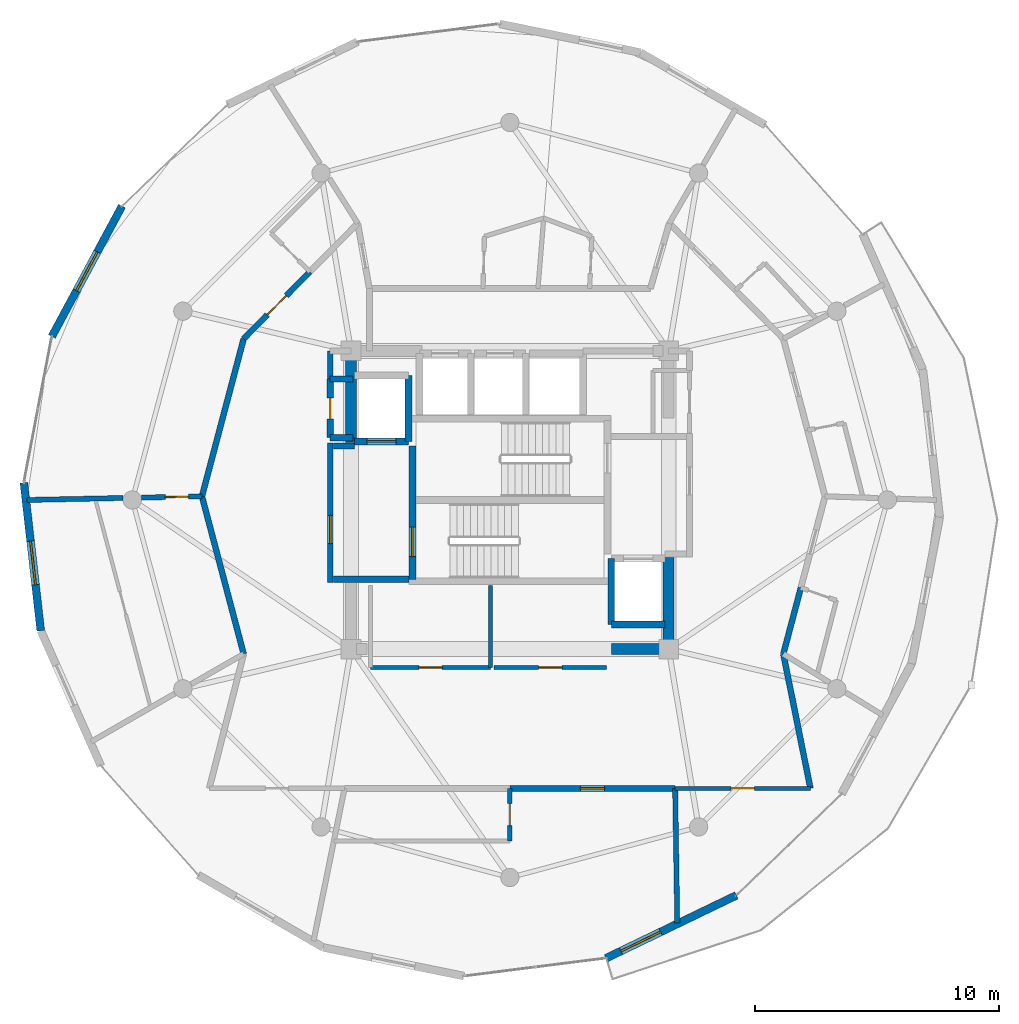
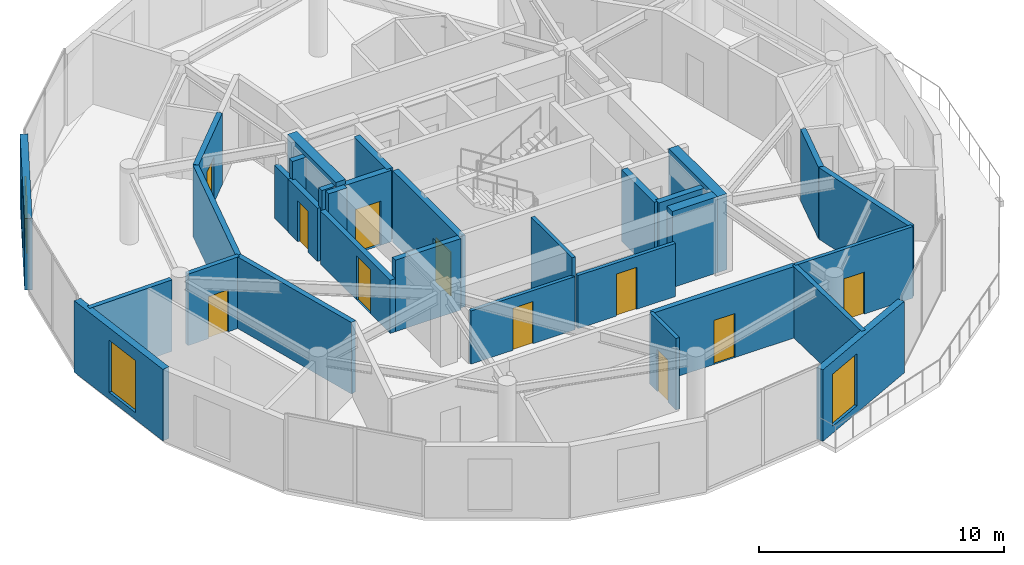
# One storey, part 18 of 23: 32 walls, 11 doors, 3 windows, 14 openings.
"""IFC4 building model written with IfcOpenShell, lengths in metres."""

from ifc_helpers import new_model, si_unit, direction, frame, frame_2d, origin, place, context, subcontext, project, spatial, rectangle, extrude, material, layer, layer_set, type_object, element, fill, save


model = new_model("IFC4")

# Units and contexts
model_context = context("Model", 3, precision=1e-05, world=origin(), true_north=direction((0.0, 1.0)))
body_context = subcontext(model_context, "Body", "Model", "MODEL_VIEW")
ifc_project = project(units=[si_unit("LENGTHUNIT", "METRE"), si_unit("AREAUNIT", "SQUARE_METRE"), si_unit("VOLUMEUNIT", "CUBIC_METRE"), si_unit("PLANEANGLEUNIT", "RADIAN"), si_unit("MASSUNIT", "GRAM", prefix="KILO")], contexts=[model_context])

# Site, building, storey
site_placement = place(None, origin())
site = spatial("IfcSite", under=ifc_project, at=site_placement, CompositionType="ELEMENT")
building_placement = place(site_placement, origin())
building = spatial("IfcBuilding", under=site, at=building_placement, Name="Solvirekh Grand Hotel", CompositionType="ELEMENT")
storey_placement = place(building_placement, frame((0.0, 0.0, 285.800048828125)))
storey = spatial("IfcBuildingStorey", under=building, at=storey_placement, Name="L74", CompositionType="ELEMENT", Elevation=285.800048828125)

# Wall, opening, door
ifc_material_1 = material(Name="Concrete C40/50", Category="concrete")
ifc_layer_1 = layer(ifc_material_1, 0.280029296875)
ifc_layer_set_1 = layer_set([ifc_layer_1], Name="Concrete C40/50")
wall_type_1 = type_object("IfcWallType", Name="CoreShaftWall_RC280", PredefinedType="SOLIDWALL", material=ifc_layer_set_1)
wall_1_placement = place(storey_placement, frame((-6.35009765625, 2.39990234375, 0.0), z_axis=(0.0, 0.0, 1.0), x_axis=(1.0, 0.0, 0.0)))
wall_1 = element("IfcWall", 1, at=wall_1_placement, inside=storey, type_object=wall_type_1, Name="L74 FL-1 hoistway S wall", PredefinedType="SOLIDWALL", context=body_context, shape_type="SweptSolid", body=[
    extrude(rectangle(XDim=2.2001953125, YDim=0.280029296875, at=frame_2d((1.10009765625, 0.0))), origin(), (0.0, 0.0, 1.0), 3.570068359375),
])
opening_1_placement = place(wall_1_placement, frame((0.5, 0.0, 0.0)))
opening_1 = element("IfcOpeningElement", 2, at=opening_1_placement, cuts=wall_1, Name="Opening LD02", PredefinedType="OPENING", context=body_context, shape_type="SweptSolid", body=[
    extrude(rectangle(XDim=1.199951171875, YDim=2.199951171875, at=frame_2d((0.60009765625, 1.10009765625))), frame((0.0, 0.14990234375, 0.0), z_axis=(0.0, -1.0, 0.0), x_axis=(1.0, 0.0, 0.0)), (0.0, 0.0, 1.0), 0.300048828125),
])
ifc_material_2 = material(Name="Fire-Rated Steel Door Assembly", Category="steel")
door_type_1 = type_object("IfcDoorType", Name="Door_LiftFF_1200X2200", OperationType="SLIDING_TO_LEFT", PredefinedType="DOOR", material=ifc_material_2)
door_1_placement = place(opening_1_placement, origin())
door_1 = element("IfcDoor", 3, at=door_1_placement, inside=storey, type_object=door_type_1, Name="L74 FL-1 sliding lift landing door", OperationType="SLIDING_TO_LEFT", OverallHeight=2.199951171875, OverallWidth=1.199951171875, PredefinedType="DOOR", context=body_context, shape_type="SweptSolid", body=[
    extrude(rectangle(XDim=1.199951171875, YDim=2.199951171875, at=frame_2d((0.60009765625, 1.10009765625))), frame((0.0, 0.02490234375, 0.0), z_axis=(0.0, -1.0, 0.0), x_axis=(1.0, 0.0, 0.0)), (0.0, 0.0, 1.0), 0.050048828125),
])
fill(opening_1, door_1)

# Walls
wall_2_placement = place(storey_placement, frame((-4.14990234375, 2.39990234375, 0.0), z_axis=(0.0, 0.0, 1.0), x_axis=(0.0, 1.0, 0.0)))
element("IfcWall", 4, at=wall_2_placement, inside=storey, type_object=wall_type_1, Name="L74 FL-1 hoistway E wall", PredefinedType="SOLIDWALL", context=body_context, shape_type="SweptSolid", body=[
    extrude(rectangle(XDim=2.7001953125, YDim=0.280029296875, at=frame_2d((1.35009765625, 0.0))), origin(), (0.0, 0.0, 1.0), 3.570068359375),
])
wall_3_placement = place(storey_placement, frame((4.14990234375, -5.10009765625, 0.0), z_axis=(0.0, 0.0, 1.0), x_axis=(1.0, 0.0, 0.0)))
element("IfcWall", 5, at=wall_3_placement, inside=storey, type_object=wall_type_1, Name="L74 FL-2 hoistway S wall", PredefinedType="SOLIDWALL", context=body_context, shape_type="SweptSolid", body=[
    extrude(rectangle(XDim=2.2001953125, YDim=0.280029296875, at=frame_2d((1.10009765625, 0.0))), origin(), (0.0, 0.0, 1.0), 3.570068359375),
])
wall_4_placement = place(storey_placement, frame((4.14990234375, -2.39990234375, 0.0), z_axis=(0.0, 0.0, 1.0), x_axis=(0.0, -1.0, 0.0)))
element("IfcWall", 6, at=wall_4_placement, inside=storey, type_object=wall_type_1, Name="L74 FL-2 hoistway W wall", PredefinedType="SOLIDWALL", context=body_context, shape_type="SweptSolid", body=[
    extrude(rectangle(XDim=2.7001953125, YDim=0.280029296875, at=frame_2d((1.35009765625, 0.0))), origin(), (0.0, 0.0, 1.0), 3.570068359375),
])

# Wall, opening, door
wall_5_placement = place(storey_placement, frame((-3.989990234375, -3.25, 0.0), z_axis=(0.0, 0.0, 1.0), x_axis=(0.0, 1.0, 0.0)))
wall_5 = element("IfcWall", 7, at=wall_5_placement, inside=storey, type_object=wall_type_1, Name="L74 west stair landing enclosure wall", PredefinedType="SOLIDWALL", context=body_context, shape_type="SweptSolid", body=[
    extrude(rectangle(XDim=5.4599609375, YDim=0.280029296875, at=frame_2d((2.72998046875, 0.0))), origin(), (0.0, 0.0, 1.0), 3.570068359375),
])
opening_2_placement = place(wall_5_placement, frame((0.93701171875, 0.0, 0.0)))
opening_2 = element("IfcOpeningElement", 8, at=opening_2_placement, cuts=wall_5, Name="Opening D05", PredefinedType="OPENING", context=body_context, shape_type="SweptSolid", body=[
    extrude(rectangle(XDim=1.199951171875, YDim=2.199951171875, at=frame_2d((0.60009765625, 1.10009765625))), frame((0.0, 0.14990234375, 0.0), z_axis=(0.0, -1.0, 0.0), x_axis=(1.0, 0.0, 0.0)), (0.0, 0.0, 1.0), 0.300048828125),
])
door_type_2 = type_object("IfcDoorType", Name="Door_StairCore_1200X2200", OperationType="NOTDEFINED", PredefinedType="DOOR", material=ifc_material_2)
door_2_placement = place(opening_2_placement, origin())
door_2 = element("IfcDoor", 9, at=door_2_placement, inside=storey, type_object=door_type_2, Name="L74 exit stair ST-1 fire door", OperationType="SINGLE_SWING_LEFT", OverallHeight=2.199951171875, OverallWidth=1.199951171875, PredefinedType="DOOR", context=body_context, shape_type="SweptSolid", body=[
    extrude(rectangle(XDim=1.199951171875, YDim=2.199951171875, at=frame_2d((0.60009765625, 1.10009765625))), frame((0.0, 0.02490234375, 0.0), z_axis=(0.0, -1.0, 0.0), x_axis=(1.0, 0.0, 0.0)), (0.0, 0.0, 1.0), 0.050048828125),
])
fill(opening_2, door_2)

# Walls
ifc_material_3 = material(Name="Concrete C50/60", Category="concrete")
ifc_layer_2 = layer(ifc_material_3, 0.449951171875)
ifc_layer_set_2 = layer_set([ifc_layer_2], Name="Concrete C50/60")
wall_type_2 = type_object("IfcWallType", Name="CoreWall_RC450", PredefinedType="SHEAR", material=ifc_layer_set_2)
wall_6_placement = place(storey_placement, frame((4.14990234375, -6.10009765625, 0.0), z_axis=(0.0, 0.0, 1.0), x_axis=(1.0, 0.0, 0.0)))
element("IfcWall", 10, at=wall_6_placement, inside=storey, type_object=wall_type_2, Name="L74 core corner shear wall SE-S", PredefinedType="SHEAR", context=body_context, shape_type="SweptSolid", body=[
    extrude(rectangle(XDim=2.125, YDim=0.449951171875, at=frame_2d((1.0625, 0.0))), origin(), (0.0, 0.0, 1.0), 3.800048828125),
])
for number, where, z_axis, x_axis, name in (
    (11, (-6.5, 2.35009765625, 0.0), (0.0, 0.0, 1.0), (0.0, 1.0, 0.0), "L74 core corner shear wall WN-W"),
    (12, (6.5, -6.324951171875, 0.0), (0.0, 0.0, 1.0), (0.0, 1.0, 0.0), "L74 core corner shear wall ES-E"),
):
    element("IfcWall", number, at=place(storey_placement, frame(where, z_axis=z_axis, x_axis=x_axis)), inside=storey, type_object=wall_type_2, Name=name, PredefinedType="SHEAR", context=body_context, shape_type="SweptSolid", body=[
        extrude(rectangle(XDim=3.974853515625, YDim=0.449951171875, at=frame_2d((1.9873046875, 0.0))), origin(), (0.0, 0.0, 1.0), 3.800048828125),
    ])

# Wall, opening, window
ifc_material_4 = material(Name="Precast concrete C45/55", Category="concrete")
ifc_layer_3 = layer(ifc_material_4, 0.320068359375)
ifc_layer_set_3 = layer_set([ifc_layer_3], Name="Precast concrete C45/55")
wall_type_3 = type_object("IfcWallType", Name="ExtLobbyWall_RC320", PredefinedType="SOLIDWALL", material=ifc_layer_set_3)
wall_7_placement = place(storey_placement, frame((9.26904296875, -16.179931640625, 0.0), z_axis=(0.0, 0.0, 1.0), x_axis=(-0.900627949964, -0.434590952212, 0.0)))
wall_7 = element("IfcWall", 13, at=wall_7_placement, inside=storey, type_object=wall_type_3, Name="L74 exterior structural wall chord 2", PredefinedType="SOLIDWALL", context=body_context, shape_type="SweptSolid", body=[
    extrude(rectangle(XDim=5.916015625, YDim=0.320068359375, at=frame_2d((2.9580078125, 0.0))), origin(), (0.0, 0.0, 1.0), 3.570068359375),
])
opening_3_placement = place(wall_7_placement, frame((3.44091796875, 0.0, 0.35009765625)))
opening_3 = element("IfcOpeningElement", 14, at=opening_3_placement, cuts=wall_7, Name="Opening W02", PredefinedType="OPENING", context=body_context, shape_type="SweptSolid", body=[
    extrude(rectangle(XDim=1.800048828125, YDim=2.60009765625, at=frame_2d((0.89990234375, 1.300048828125))), frame((0.0, 0.169921875, 0.0), z_axis=(0.0, -1.0, 0.0), x_axis=(1.0, 0.0, 0.0)), (0.0, 0.0, 1.0), 0.340087890625),
])
ifc_material_5 = material(Name="Low-E Tinted Bronze Laminated Glass", Category="aluminium")
window_type = type_object("IfcWindowType", Name="Win_LobbyExt_1800X2600", PartitioningType="SINGLE_PANEL", PredefinedType="WINDOW", material=ifc_material_5)
window_1_placement = place(opening_3_placement, origin())
window_1 = element("IfcWindow", 15, at=window_1_placement, inside=storey, type_object=window_type, Name="L74 panoramic bronze-framed window 2", OverallHeight=2.60009765625, OverallWidth=1.800048828125, PartitioningType="SINGLE_PANEL", PredefinedType="WINDOW", context=body_context, shape_type="SweptSolid", body=[
    extrude(rectangle(XDim=1.800048828125, YDim=2.60009765625, at=frame_2d((0.89990234375, 1.300048828125))), frame((0.0, 0.030029296875, 0.0), z_axis=(0.0, -1.0, 0.0), x_axis=(1.0, 0.0, 0.0)), (0.0, 0.0, 1.0), 0.06005859375),
])
fill(opening_3, window_1)

wall_8_placement = place(storey_placement, frame((-18.742919921875, 6.694091796875, 0.0), z_axis=(0.0, 0.0, 1.0), x_axis=(0.473652377816, 0.880711885346, 0.0)))
wall_8 = element("IfcWall", 16, at=wall_8_placement, inside=storey, type_object=wall_type_3, Name="L74 exterior structural wall chord 14", PredefinedType="SOLIDWALL", context=body_context, shape_type="SweptSolid", body=[
    extrude(rectangle(XDim=6.052734375, YDim=0.320068359375, at=frame_2d((3.0263671875, 0.0))), origin(), (0.0, 0.0, 1.0), 3.570068359375),
])
opening_4_placement = place(wall_8_placement, frame((2.126953125, 0.0, 0.35009765625)))
opening_4 = element("IfcOpeningElement", 17, at=opening_4_placement, cuts=wall_8, Name="Opening W02", PredefinedType="OPENING", context=body_context, shape_type="SweptSolid", body=[
    extrude(rectangle(XDim=1.800048828125, YDim=2.60009765625, at=frame_2d((0.89990234375, 1.300048828125))), frame((0.0, 0.169921875, 0.0), z_axis=(0.0, -1.0, 0.0), x_axis=(1.0, 0.0, 0.0)), (0.0, 0.0, 1.0), 0.340087890625),
])
window_2_placement = place(opening_4_placement, origin())
window_2 = element("IfcWindow", 18, at=window_2_placement, inside=storey, type_object=window_type, Name="L74 panoramic bronze-framed window 14", OverallHeight=2.60009765625, OverallWidth=1.800048828125, PartitioningType="SINGLE_PANEL", PredefinedType="WINDOW", context=body_context, shape_type="SweptSolid", body=[
    extrude(rectangle(XDim=1.800048828125, YDim=2.60009765625, at=frame_2d((0.89990234375, 1.300048828125))), frame((0.0, 0.030029296875, 0.0), z_axis=(0.0, -1.0, 0.0), x_axis=(1.0, 0.0, 0.0)), (0.0, 0.0, 1.0), 0.06005859375),
])
fill(opening_4, window_2)

wall_9_placement = place(storey_placement, frame((-19.197021484375, -5.34912109375, 0.0), z_axis=(0.0, 0.0, 1.0), x_axis=(-0.113191877531, 0.993573147212, 0.0)))
wall_9 = element("IfcWall", 19, at=wall_9_placement, inside=storey, type_object=wall_type_3, Name="L74 exterior structural wall chord 16", PredefinedType="SOLIDWALL", context=body_context, shape_type="SweptSolid", body=[
    extrude(rectangle(XDim=6.09521484375, YDim=0.320068359375, at=frame_2d((3.047607421875, 0.0))), origin(), (0.0, 0.0, 1.0), 3.570068359375),
])
opening_5_placement = place(wall_9_placement, frame((1.89208984375, 0.0, 0.35009765625)))
opening_5 = element("IfcOpeningElement", 20, at=opening_5_placement, cuts=wall_9, Name="Opening W02", PredefinedType="OPENING", context=body_context, shape_type="SweptSolid", body=[
    extrude(rectangle(XDim=1.800048828125, YDim=2.60009765625, at=frame_2d((0.89990234375, 1.300048828125))), frame((0.0, 0.169921875, 0.0), z_axis=(0.0, -1.0, 0.0), x_axis=(1.0, 0.0, 0.0)), (0.0, 0.0, 1.0), 0.340087890625),
])
window_3_placement = place(opening_5_placement, origin())
window_3 = element("IfcWindow", 21, at=window_3_placement, inside=storey, type_object=window_type, Name="L74 panoramic bronze-framed window 16", OverallHeight=2.60009765625, OverallWidth=1.800048828125, PartitioningType="SINGLE_PANEL", PredefinedType="WINDOW", context=body_context, shape_type="SweptSolid", body=[
    extrude(rectangle(XDim=1.800048828125, YDim=2.60009765625, at=frame_2d((0.89990234375, 1.300048828125))), frame((0.0, 0.030029296875, 0.0), z_axis=(0.0, -1.0, 0.0), x_axis=(1.0, 0.0, 0.0)), (0.0, 0.0, 1.0), 0.06005859375),
])
fill(opening_5, window_3)

# Wall, opening, door
ifc_material_6 = material(Name="Acoustic Gypsum Partition Assembly")
ifc_layer_4 = layer(ifc_material_6, 0.1650390625)
ifc_layer_set_4 = layer_set([ifc_layer_4], Name="Acoustic Gypsum Partition Assembly")
wall_type_4 = type_object("IfcWallType", Name="Part_BOH_165", PredefinedType="PARTITIONING", material=ifc_layer_set_4)
wall_10_placement = place(storey_placement, frame((-5.699951171875, -6.85009765625, 0.0), z_axis=(0.0, 0.0, 1.0), x_axis=(1.0, 0.0, 0.0)))
wall_10 = element("IfcWall", 22, at=wall_10_placement, inside=storey, type_object=wall_type_4, Name="L74 High-Zone Housekeeping Linen Room wall 1", PredefinedType="PARTITIONING", context=body_context, shape_type="SweptSolid", body=[
    extrude(rectangle(XDim=4.89990234375, YDim=0.1650390625, at=frame_2d((2.449951171875, 0.0))), origin(), (0.0, 0.0, 1.0), 2.655029296875),
])
opening_6_placement = place(wall_10_placement, frame((1.97509765625, 0.0, 0.0)))
opening_6 = element("IfcOpeningElement", 23, at=opening_6_placement, cuts=wall_10, Name="Opening D10", PredefinedType="OPENING", context=body_context, shape_type="SweptSolid", body=[
    extrude(rectangle(XDim=0.949951171875, YDim=2.10009765625, at=frame_2d((0.47509765625, 1.050048828125))), frame((0.0, 0.092529296875, 0.0), z_axis=(0.0, -1.0, 0.0), x_axis=(1.0, 0.0, 0.0)), (0.0, 0.0, 1.0), 0.18505859375),
])
ifc_material_7 = material(Name="Anodized Bronze Aluminium 6063-T6", Category="aluminium")
door_type_3 = type_object("IfcDoorType", Name="Door_RoomInt_950X2100", OperationType="NOTDEFINED", PredefinedType="DOOR", material=ifc_material_7)
door_3_placement = place(opening_6_placement, origin())
door_3 = element("IfcDoor", 24, at=door_3_placement, inside=storey, type_object=door_type_3, Name="L74 High-Zone Housekeeping Linen Room door", OperationType="SINGLE_SWING_LEFT", OverallHeight=2.10009765625, OverallWidth=0.949951171875, PredefinedType="DOOR", context=body_context, shape_type="SweptSolid", body=[
    extrude(rectangle(XDim=0.949951171875, YDim=2.10009765625, at=frame_2d((0.47509765625, 1.050048828125))), frame((0.0, 0.02490234375, 0.0), z_axis=(0.0, -1.0, 0.0), x_axis=(1.0, 0.0, 0.0)), (0.0, 0.0, 1.0), 0.050048828125),
])
fill(opening_6, door_3)

# Wall
wall_11_placement = place(storey_placement, frame((-0.800048828125, -6.85009765625, 0.0), z_axis=(0.0, 0.0, 1.0), x_axis=(0.0, 1.0, 0.0)))
element("IfcWall", 25, at=wall_11_placement, inside=storey, type_object=wall_type_4, Name="L74 High-Zone Housekeeping Linen Room wall 2", PredefinedType="PARTITIONING", context=body_context, shape_type="SweptSolid", body=[
    extrude(rectangle(XDim=3.35009765625, YDim=0.1650390625, at=frame_2d((1.675048828125, 0.0))), origin(), (0.0, 0.0, 1.0), 3.570068359375),
])

# Wall, opening, door
wall_12_placement = place(storey_placement, frame((-0.64990234375, -6.85009765625, 0.0), z_axis=(0.0, 0.0, 1.0), x_axis=(1.0, 0.0, 0.0)))
wall_12 = element("IfcWall", 26, at=wall_12_placement, inside=storey, type_object=wall_type_4, Name="L74 Butler Valet Steward Room wall 1", PredefinedType="PARTITIONING", context=body_context, shape_type="SweptSolid", body=[
    extrude(rectangle(XDim=4.599853515625, YDim=0.1650390625, at=frame_2d((2.2998046875, 0.0))), origin(), (0.0, 0.0, 1.0), 2.655029296875),
])
opening_7_placement = place(wall_12_placement, frame((1.824951171875, 0.0, 0.0)))
opening_7 = element("IfcOpeningElement", 27, at=opening_7_placement, cuts=wall_12, Name="Opening D10", PredefinedType="OPENING", context=body_context, shape_type="SweptSolid", body=[
    extrude(rectangle(XDim=0.949951171875, YDim=2.10009765625, at=frame_2d((0.47509765625, 1.050048828125))), frame((0.0, 0.092529296875, 0.0), z_axis=(0.0, -1.0, 0.0), x_axis=(1.0, 0.0, 0.0)), (0.0, 0.0, 1.0), 0.18505859375),
])
door_4_placement = place(opening_7_placement, origin())
door_4 = element("IfcDoor", 28, at=door_4_placement, inside=storey, type_object=door_type_3, Name="L74 Butler Valet Steward Room door", OperationType="SINGLE_SWING_RIGHT", OverallHeight=2.10009765625, OverallWidth=0.949951171875, PredefinedType="DOOR", context=body_context, shape_type="SweptSolid", body=[
    extrude(rectangle(XDim=0.949951171875, YDim=2.10009765625, at=frame_2d((0.47509765625, 1.050048828125))), frame((0.0, 0.02490234375, 0.0), z_axis=(0.0, -1.0, 0.0), x_axis=(1.0, 0.0, 0.0)), (0.0, 0.0, 1.0), 0.050048828125),
])
fill(opening_7, door_4)

wall_13_placement = place(storey_placement, frame((6.764892578125, -11.800048828125, 0.0), z_axis=(0.0, 0.0, 1.0), x_axis=(1.0, 0.0, 0.0)))
wall_13 = element("IfcWall", 29, at=wall_13_placement, inside=storey, type_object=wall_type_4, Name="L74 L74 Butler Valet & Linen Steward Room entrance wall", PredefinedType="PARTITIONING", context=body_context, shape_type="SweptSolid", body=[
    extrude(rectangle(XDim=5.53515625, YDim=0.1650390625, at=frame_2d((2.767578125, 0.0))), origin(), (0.0, 0.0, 1.0), 3.570068359375),
])
opening_8_placement = place(wall_13_placement, frame((2.29296875, 0.0, 0.0)))
opening_8 = element("IfcOpeningElement", 30, at=opening_8_placement, cuts=wall_13, Name="Opening D10", PredefinedType="OPENING", context=body_context, shape_type="SweptSolid", body=[
    extrude(rectangle(XDim=0.949951171875, YDim=2.10009765625, at=frame_2d((0.47509765625, 1.050048828125))), frame((0.0, 0.092529296875, 0.0), z_axis=(0.0, -1.0, 0.0), x_axis=(1.0, 0.0, 0.0)), (0.0, 0.0, 1.0), 0.18505859375),
])
door_5_placement = place(opening_8_placement, origin())
door_5 = element("IfcDoor", 31, at=door_5_placement, inside=storey, type_object=door_type_3, Name="L74 L74 Butler Valet & Linen Steward Room entrance door", OperationType="SINGLE_SWING_RIGHT", OverallHeight=2.10009765625, OverallWidth=0.949951171875, PredefinedType="DOOR", context=body_context, shape_type="SweptSolid", body=[
    extrude(rectangle(XDim=0.949951171875, YDim=2.10009765625, at=frame_2d((0.47509765625, 1.050048828125))), frame((0.0, 0.02490234375, 0.0), z_axis=(0.0, -1.0, 0.0), x_axis=(1.0, 0.0, 0.0)), (0.0, 0.0, 1.0), 0.050048828125),
])
fill(opening_8, door_5)

ifc_layer_5 = layer(ifc_material_6, 0.239990234375)
ifc_layer_set_5 = layer_set([ifc_layer_5], Name="Acoustic Gypsum Partition Assembly")
wall_type_5 = type_object("IfcWallType", Name="Part_Corridor_240", PredefinedType="PARTITIONING", material=ifc_layer_set_5)
wall_14_placement = place(storey_placement, frame((-7.35009765625, -3.3798828125, 0.0), z_axis=(0.0, 0.0, 1.0), x_axis=(0.0, 1.0, 0.0)))
wall_14 = element("IfcWall", 32, at=wall_14_placement, inside=storey, type_object=wall_type_5, Name="L74 west firefighting lobby smoke screen wall", PredefinedType="PARTITIONING", context=body_context, shape_type="SweptSolid", body=[
    extrude(rectangle(XDim=5.719970703125, YDim=0.239990234375, at=frame_2d((2.85986328125, 0.0))), origin(), (0.0, 0.0, 1.0), 2.655029296875),
])
opening_9_placement = place(wall_14_placement, frame((1.59912109375, 0.0, 0.0)))
opening_9 = element("IfcOpeningElement", 33, at=opening_9_placement, cuts=wall_14, Name="Opening D06", PredefinedType="OPENING", context=body_context, shape_type="SweptSolid", body=[
    extrude(rectangle(XDim=1.14990234375, YDim=2.199951171875, at=frame_2d((0.574951171875, 1.10009765625))), frame((0.0, 0.1298828125, 0.0), z_axis=(0.0, -1.0, 0.0), x_axis=(1.0, 0.0, 0.0)), (0.0, 0.0, 1.0), 0.260009765625),
])
door_type_4 = type_object("IfcDoorType", Name="Door_FFLobby_1150X2200", OperationType="NOTDEFINED", PredefinedType="DOOR", material=ifc_material_2)
door_6_placement = place(opening_9_placement, origin())
door_6 = element("IfcDoor", 34, at=door_6_placement, inside=storey, type_object=door_type_4, Name="L74 west firefighting lobby smoke door", OperationType="SINGLE_SWING_LEFT", OverallHeight=2.199951171875, OverallWidth=1.14990234375, PredefinedType="DOOR", context=body_context, shape_type="SweptSolid", body=[
    extrude(rectangle(XDim=1.14990234375, YDim=2.199951171875, at=frame_2d((0.574951171875, 1.10009765625))), frame((0.0, 0.02490234375, 0.0), z_axis=(0.0, -1.0, 0.0), x_axis=(1.0, 0.0, 0.0)), (0.0, 0.0, 1.0), 0.050048828125),
])
fill(opening_9, door_6)

# Walls
wall_15_placement = place(storey_placement, frame((-7.35009765625, 4.949951171875, 0.0), z_axis=(0.0, 0.0, 1.0), x_axis=(0.0, 1.0, 0.0)))
element("IfcWall", 35, at=wall_15_placement, inside=storey, type_object=wall_type_5, Name="L74 NW core cheek closure wall", PredefinedType="PARTITIONING", context=body_context, shape_type="SweptSolid", body=[
    extrude(rectangle(XDim=1.150146484375, YDim=0.239990234375, at=frame_2d((0.5751953125, 0.0))), origin(), (0.0, 0.0, 1.0), 2.655029296875),
])
wall_16_placement = place(storey_placement, frame((-10.89208984375, 6.60009765625, 0.0), z_axis=(0.0, 0.0, 1.0), x_axis=(-0.255977036578, -0.966682862548, 0.0)))
element("IfcWall", 36, at=wall_16_placement, inside=storey, type_object=wall_type_5, Name="L74 Diplomatic Suite 7603 Living Room corridor wall 1", PredefinedType="PARTITIONING", context=body_context, shape_type="SweptSolid", body=[
    extrude(rectangle(XDim=6.672607421875, YDim=0.239990234375, at=frame_2d((3.33642578125, 0.0))), origin(), (0.0, 0.0, 1.0), 3.570068359375),
])

# Wall, opening, door
wall_17_placement = place(storey_placement, frame((-8.18505859375, 9.339111328125, 0.0), z_axis=(0.0, 0.0, 1.0), x_axis=(-0.702942107486, -0.711247069254, 0.0)))
wall_17 = element("IfcWall", 37, at=wall_17_placement, inside=storey, type_object=wall_type_5, Name="L74 Diplomatic Suite 7603 Living Room entrance wall", PredefinedType="PARTITIONING", context=body_context, shape_type="SweptSolid", body=[
    extrude(rectangle(XDim=3.85107421875, YDim=0.239990234375, at=frame_2d((1.925537109375, 0.0))), origin(), (0.0, 0.0, 1.0), 3.570068359375),
])
opening_10_placement = place(wall_17_placement, frame((1.375, 0.0, 0.0)))
opening_10 = element("IfcOpeningElement", 38, at=opening_10_placement, cuts=wall_17, Name="Opening D08", PredefinedType="OPENING", context=body_context, shape_type="SweptSolid", body=[
    extrude(rectangle(XDim=1.10009765625, YDim=2.300048828125, at=frame_2d((0.550048828125, 1.14990234375))), frame((0.0, 0.1298828125, 0.0), z_axis=(0.0, -1.0, 0.0), x_axis=(1.0, 0.0, 0.0)), (0.0, 0.0, 1.0), 0.260009765625),
])
door_type_5 = type_object("IfcDoorType", Name="Door_SuiteEntry_1100X2300", OperationType="NOTDEFINED", PredefinedType="DOOR", material=ifc_material_2)
door_7_placement = place(opening_10_placement, origin())
door_7 = element("IfcDoor", 39, at=door_7_placement, inside=storey, type_object=door_type_5, Name="L74 Diplomatic Suite 7603 Living Room entrance door", OperationType="SINGLE_SWING_RIGHT", OverallHeight=2.300048828125, OverallWidth=1.10009765625, PredefinedType="DOOR", context=body_context, shape_type="SweptSolid", body=[
    extrude(rectangle(XDim=1.10009765625, YDim=2.300048828125, at=frame_2d((0.550048828125, 1.14990234375))), frame((0.0, 0.02490234375, 0.0), z_axis=(0.0, -1.0, 0.0), x_axis=(1.0, 0.0, 0.0)), (0.0, 0.0, 1.0), 0.050048828125),
])
fill(opening_10, door_7)

# Walls
wall_18_placement = place(storey_placement, frame((-12.60009765625, 0.14990234375, 0.0), z_axis=(0.0, 0.0, 1.0), x_axis=(0.255986090798, -0.966680464951, 0.0)))
element("IfcWall", 40, at=wall_18_placement, inside=storey, type_object=wall_type_5, Name="L74 Diplomatic Suite 7603 Suite Foyer corridor enclosure wall", PredefinedType="PARTITIONING", context=body_context, shape_type="SweptSolid", body=[
    extrude(rectangle(XDim=6.67236328125, YDim=0.239990234375, at=frame_2d((3.336181640625, 0.0))), origin(), (0.0, 0.0, 1.0), 3.570068359375),
])
wall_19_placement = place(storey_placement, frame((11.19189453125, -6.300048828125, 0.0), z_axis=(0.0, 0.0, 1.0), x_axis=(0.255878192504, 0.966709030992, 0.0)))
element("IfcWall", 41, at=wall_19_placement, inside=storey, type_object=wall_type_5, Name="L74 En-suite Bathroom 7604 corridor backing wall", PredefinedType="PARTITIONING", context=body_context, shape_type="SweptSolid", body=[
    extrude(rectangle(XDim=2.80224609375, YDim=0.239990234375, at=frame_2d((1.401123046875, 0.0))), origin(), (0.0, 0.0, 1.0), 3.570068359375),
])

# Wall, opening, door
wall_20_placement = place(storey_placement, frame((0.0, -11.800048828125, 0.0), z_axis=(0.0, 0.0, 1.0), x_axis=(1.0, 0.0, 0.0)))
wall_20 = element("IfcWall", 42, at=wall_20_placement, inside=storey, type_object=wall_type_5, Name="L74 Deluxe Guestroom 7607 entrance wall", PredefinedType="PARTITIONING", context=body_context, shape_type="SweptSolid", body=[
    extrude(rectangle(XDim=6.764892578125, YDim=0.239990234375, at=frame_2d((3.38232421875, 0.0))), origin(), (0.0, 0.0, 1.0), 3.570068359375),
])
opening_11_placement = place(wall_20_placement, frame((2.882080078125, 0.0, 0.0)))
opening_11 = element("IfcOpeningElement", 43, at=opening_11_placement, cuts=wall_20, Name="Opening D07", PredefinedType="OPENING", context=body_context, shape_type="SweptSolid", body=[
    extrude(rectangle(XDim=1.0, YDim=2.199951171875, at=frame_2d((0.5, 1.10009765625))), frame((0.0, 0.1298828125, 0.0), z_axis=(0.0, -1.0, 0.0), x_axis=(1.0, 0.0, 0.0)), (0.0, 0.0, 1.0), 0.260009765625),
])
door_type_6 = type_object("IfcDoorType", Name="Door_GuestEntry_1000X2200", OperationType="NOTDEFINED", PredefinedType="DOOR", material=ifc_material_2)
door_8_placement = place(opening_11_placement, origin())
door_8 = element("IfcDoor", 44, at=door_8_placement, inside=storey, type_object=door_type_6, Name="L74 Deluxe Guestroom 7607 entrance door", OperationType="SINGLE_SWING_LEFT", OverallHeight=2.199951171875, OverallWidth=1.0, PredefinedType="DOOR", context=body_context, shape_type="SweptSolid", body=[
    extrude(rectangle(XDim=1.0, YDim=2.199951171875, at=frame_2d((0.5, 1.10009765625))), frame((0.0, 0.02490234375, 0.0), z_axis=(0.0, -1.0, 0.0), x_axis=(1.0, 0.0, 0.0)), (0.0, 0.0, 1.0), 0.050048828125),
])
fill(opening_11, door_8)

# Walls
wall_21_placement = place(storey_placement, frame((12.300048828125, -11.800048828125, 0.0), z_axis=(0.0, 0.0, 1.0), x_axis=(-0.197513428752, 0.980300181303, 0.0)))
element("IfcWall", 45, at=wall_21_placement, inside=storey, type_object=wall_type_5, Name="L74 L74 Butler Valet & Linen Steward Room corridor wall 1", PredefinedType="PARTITIONING", context=body_context, shape_type="SweptSolid", body=[
    extrude(rectangle(XDim=5.610595703125, YDim=0.239990234375, at=frame_2d((2.80517578125, 0.0))), origin(), (0.0, 0.0, 1.0), 3.570068359375),
])
ifc_layer_6 = layer(ifc_material_6, 0.260009765625)
ifc_layer_set_6 = layer_set([ifc_layer_6], Name="Acoustic Gypsum Partition Assembly")
wall_type_6 = type_object("IfcWallType", Name="Part_LobbyFF_260", PredefinedType="PARTITIONING", material=ifc_layer_set_6)
wall_22_placement = place(storey_placement, frame((-7.22509765625, -3.25, 0.0), z_axis=(0.0, 0.0, 1.0), x_axis=(1.0, 0.0, 0.0)))
element("IfcWall", 46, at=wall_22_placement, inside=storey, type_object=wall_type_6, Name="L74 west firefighting lobby south partition", PredefinedType="PARTITIONING", context=body_context, shape_type="SweptSolid", body=[
    extrude(rectangle(XDim=3.09521484375, YDim=0.260009765625, at=frame_2d((1.547607421875, 0.0))), origin(), (0.0, 0.0, 1.0), 3.570068359375),
])
wall_23_placement = place(storey_placement, frame((-7.22509765625, 2.2099609375, 0.0), z_axis=(0.0, 0.0, 1.0), x_axis=(1.0, 0.0, 0.0)))
element("IfcWall", 47, at=wall_23_placement, inside=storey, type_object=wall_type_6, Name="L74 west firefighting lobby NW cheek", PredefinedType="PARTITIONING", context=body_context, shape_type="SweptSolid", body=[
    extrude(rectangle(XDim=0.875, YDim=0.260009765625, at=frame_2d((0.4375, 0.0))), origin(), (0.0, 0.0, 1.0), 3.570068359375),
])
for number, where, z_axis, x_axis, name in (
    (48, (-7.35009765625, 4.949951171875, 0.0), (0.0, 0.0, 1.0), (1.0, 0.0, 0.0), "L74 NW telecom metering cupboard north wall"),
    (49, (-7.35009765625, 2.550048828125, 0.0), (0.0, 0.0, 1.0), (1.0, 0.0, 0.0), "L74 NW telecom metering cupboard south wall"),
):
    element("IfcWall", number, at=place(storey_placement, frame(where, z_axis=z_axis, x_axis=x_axis)), inside=storey, type_object=wall_type_6, Name=name, PredefinedType="PARTITIONING", context=body_context, shape_type="SweptSolid", body=[
        extrude(rectangle(XDim=0.93017578125, YDim=0.260009765625, at=frame_2d((0.465087890625, 0.0))), origin(), (0.0, 0.0, 1.0), 3.570068359375),
    ])

# Wall, opening, door
wall_24_placement = place(storey_placement, frame((-7.35009765625, 2.550048828125, 0.0), z_axis=(0.0, 0.0, 1.0), x_axis=(0.0, 1.0, 0.0)))
wall_24 = element("IfcWall", 50, at=wall_24_placement, inside=storey, type_object=wall_type_6, Name="L74 NW telecom metering cupboard access wall", PredefinedType="PARTITIONING", context=body_context, shape_type="SweptSolid", body=[
    extrude(rectangle(XDim=2.39990234375, YDim=0.260009765625, at=frame_2d((1.199951171875, 0.0))), origin(), (0.0, 0.0, 1.0), 2.655029296875),
])
opening_12_placement = place(wall_24_placement, frame((0.77490234375, 0.0, 0.0)))
opening_12 = element("IfcOpeningElement", 51, at=opening_12_placement, cuts=wall_24, Name="Opening D13", PredefinedType="OPENING", context=body_context, shape_type="SweptSolid", body=[
    extrude(rectangle(XDim=0.85009765625, YDim=2.050048828125, at=frame_2d((0.425048828125, 1.02490234375))), frame((0.0, 0.14013671875, 0.0), z_axis=(0.0, -1.0, 0.0), x_axis=(1.0, 0.0, 0.0)), (0.0, 0.0, 1.0), 0.280029296875),
])
door_type_7 = type_object("IfcDoorType", Name="Door_RiserShaft_850X2050", OperationType="NOTDEFINED", PredefinedType="DOOR", material=ifc_material_2)
door_9_placement = place(opening_12_placement, origin())
door_9 = element("IfcDoor", 52, at=door_9_placement, inside=storey, type_object=door_type_7, Name="L74 telecom metering cupboard access door", OperationType="SINGLE_SWING_LEFT", OverallHeight=2.050048828125, OverallWidth=0.85009765625, PredefinedType="DOOR", context=body_context, shape_type="SweptSolid", body=[
    extrude(rectangle(XDim=0.85009765625, YDim=2.050048828125, at=frame_2d((0.425048828125, 1.02490234375))), frame((0.0, 0.02490234375, 0.0), z_axis=(0.0, -1.0, 0.0), x_axis=(1.0, 0.0, 0.0)), (0.0, 0.0, 1.0), 0.050048828125),
])
fill(opening_12, door_9)

ifc_layer_7 = layer(ifc_material_6, 0.2099609375)
ifc_layer_set_7 = layer_set([ifc_layer_7], Name="Acoustic Gypsum Partition Assembly")
wall_type_7 = type_object("IfcWallType", Name="Part_SuiteDemise_210", PredefinedType="PARTITIONING", material=ifc_layer_set_7)
wall_25_placement = place(storey_placement, frame((-12.60009765625, 0.14990234375, 0.0), z_axis=(0.0, 0.0, 1.0), x_axis=(-0.999777874808, -0.021076077527, 0.0)))
wall_25 = element("IfcWall", 53, at=wall_25_placement, inside=storey, type_object=wall_type_7, Name="L74 suite radial wall 7 (A)", PredefinedType="PARTITIONING", context=body_context, shape_type="SweptSolid", body=[
    extrude(rectangle(XDim=2.46728515625, YDim=0.2099609375, at=frame_2d((1.233642578125, 0.0))), origin(), (0.0, 0.0, 1.0), 3.570068359375),
])
opening_13_placement = place(wall_25_placement, frame((0.550048828125, 0.0, 0.0)))
opening_13 = element("IfcOpeningElement", 54, at=opening_13_placement, cuts=wall_25, Name="Opening D10", PredefinedType="OPENING", context=body_context, shape_type="SweptSolid", body=[
    extrude(rectangle(XDim=0.949951171875, YDim=2.10009765625, at=frame_2d((0.47509765625, 1.050048828125))), frame((0.0, 0.114990234375, 0.0), z_axis=(0.0, -1.0, 0.0), x_axis=(1.0, 0.0, 0.0)), (0.0, 0.0, 1.0), 0.22998046875),
])
door_10_placement = place(opening_13_placement, origin())
door_10 = element("IfcDoor", 55, at=door_10_placement, inside=storey, type_object=door_type_3, Name="L74 Diplomatic Suite 7603 Suite Foyer suite connecting door", OperationType="SINGLE_SWING_LEFT", OverallHeight=2.10009765625, OverallWidth=0.949951171875, PredefinedType="DOOR", context=body_context, shape_type="SweptSolid", body=[
    extrude(rectangle(XDim=0.949951171875, YDim=2.10009765625, at=frame_2d((0.47509765625, 1.050048828125))), frame((0.0, 0.02490234375, 0.0), z_axis=(0.0, -1.0, 0.0), x_axis=(1.0, 0.0, 0.0)), (0.0, 0.0, 1.0), 0.050048828125),
])
fill(opening_13, door_10)

# Walls
wall_26_placement = place(storey_placement, frame((-15.8359375, 0.08203125, 0.0), z_axis=(0.0, 0.0, 1.0), x_axis=(-0.999782247654, -0.020867613071, 0.0)))
element("IfcWall", 56, at=wall_26_placement, inside=storey, type_object=wall_type_7, Name="L74 suite radial wall 7 (B)", PredefinedType="PARTITIONING", context=body_context, shape_type="SweptSolid", body=[
    extrude(rectangle(XDim=3.93115234375, YDim=0.2099609375, at=frame_2d((1.965576171875, 0.0))), origin(), (0.0, 0.0, 1.0), 3.570068359375),
])
wall_27_placement = place(storey_placement, frame((6.764892578125, -11.800048828125, 0.0), z_axis=(0.0, 0.0, 1.0), x_axis=(0.015659126801, -0.999877388357, 0.0)))
element("IfcWall", 57, at=wall_27_placement, inside=storey, type_object=wall_type_7, Name="L74 Deluxe Guestroom 7607 dividing partition 1", PredefinedType="PARTITIONING", context=body_context, shape_type="SweptSolid", body=[
    extrude(rectangle(XDim=5.503662109375, YDim=0.2099609375, at=frame_2d((2.751953125, 0.0))), origin(), (0.0, 0.0, 1.0), 3.570068359375),
])

# Wall, opening, door
ifc_layer_8 = layer(ifc_material_6, 0.175048828125)
ifc_layer_set_8 = layer_set([ifc_layer_8], Name="Acoustic Gypsum Partition Assembly")
wall_type_8 = type_object("IfcWallType", Name="Plumb_Ensuite_175", PredefinedType="PLUMBINGWALL", material=ifc_layer_set_8)
wall_28_placement = place(storey_placement, frame((0.0, -11.800048828125, 0.0), z_axis=(0.0, 0.0, 1.0), x_axis=(0.0, -1.0, 0.0)))
wall_28 = element("IfcWall", 58, at=wall_28_placement, inside=storey, type_object=wall_type_8, Name="L74 En-suite Bathroom 7607 entry plumbing wall", PredefinedType="PLUMBINGWALL", context=body_context, shape_type="SweptSolid", body=[
    extrude(rectangle(XDim=2.156005859375, YDim=0.175048828125, at=frame_2d((1.078125, 0.0))), origin(), (0.0, 0.0, 1.0), 3.570068359375),
])
opening_14_placement = place(wall_28_placement, frame((0.6279296875, 0.0, 0.0)))
opening_14 = element("IfcOpeningElement", 59, at=opening_14_placement, cuts=wall_28, Name="Opening D09", PredefinedType="OPENING", context=body_context, shape_type="SweptSolid", body=[
    extrude(rectangle(XDim=0.89990234375, YDim=2.10009765625, at=frame_2d((0.449951171875, 1.050048828125))), frame((0.0, 0.09765625, 0.0), z_axis=(0.0, -1.0, 0.0), x_axis=(1.0, 0.0, 0.0)), (0.0, 0.0, 1.0), 0.195068359375),
])
door_type_8 = type_object("IfcDoorType", Name="Door_Ensuite_900X2100", OperationType="NOTDEFINED", PredefinedType="DOOR", material=ifc_material_7)
door_11_placement = place(opening_14_placement, origin())
door_11 = element("IfcDoor", 60, at=door_11_placement, inside=storey, type_object=door_type_8, Name="L74 En-suite Bathroom 7607 door", OperationType="SINGLE_SWING_RIGHT", OverallHeight=2.10009765625, OverallWidth=0.89990234375, PredefinedType="DOOR", context=body_context, shape_type="SweptSolid", body=[
    extrude(rectangle(XDim=0.89990234375, YDim=2.10009765625, at=frame_2d((0.449951171875, 1.050048828125))), frame((0.0, 0.02490234375, 0.0), z_axis=(0.0, -1.0, 0.0), x_axis=(1.0, 0.0, 0.0)), (0.0, 0.0, 1.0), 0.050048828125),
])
fill(opening_14, door_11)

save(model, "model.ifc")
